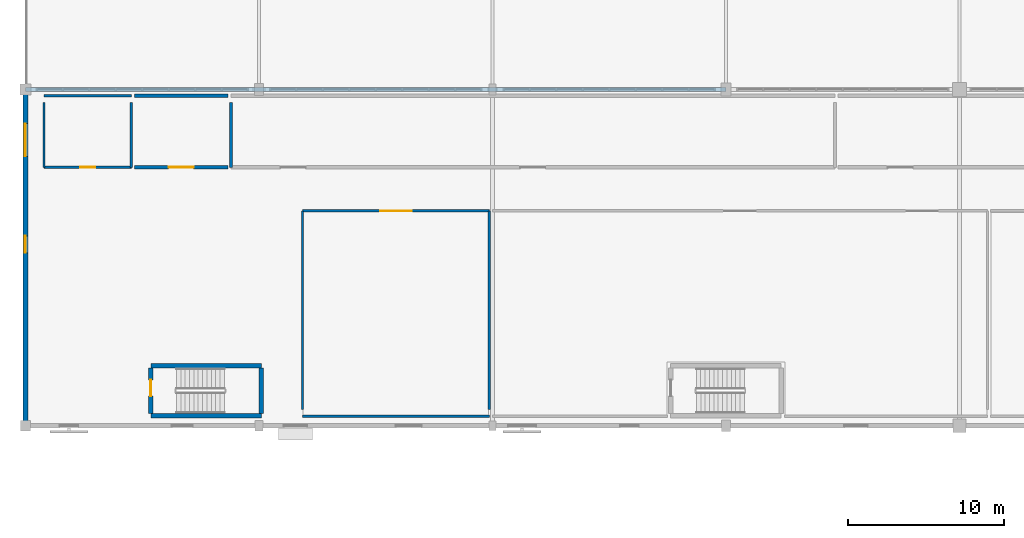
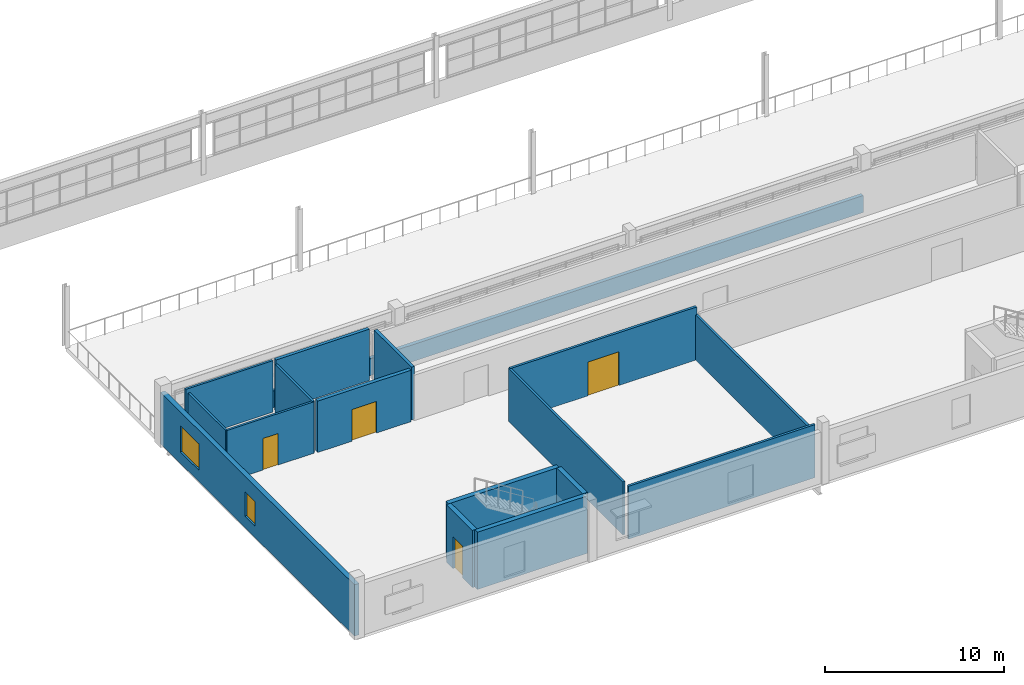
# One storey, part 62 of 92: 17 walls, 4 doors, 2 windows, 6 openings.
"""IFC4 building model written with IfcOpenShell, lengths in metres."""

from ifc_helpers import new_model, si_unit, direction, frame, frame_2d, origin, place, context, subcontext, project, spatial, rectangle, extrude, material, layer, layer_set, type_object, element, fill, save


model = new_model("IFC4")

# Units and contexts
model_context = context("Model", 3, precision=1e-05, world=origin(), true_north=direction((0.0, 1.0)))
body_context = subcontext(model_context, "Body", "Model", "MODEL_VIEW")
ifc_project = project(units=[si_unit("LENGTHUNIT", "METRE"), si_unit("AREAUNIT", "SQUARE_METRE"), si_unit("VOLUMEUNIT", "CUBIC_METRE"), si_unit("PLANEANGLEUNIT", "RADIAN"), si_unit("MASSUNIT", "GRAM", prefix="KILO")], contexts=[model_context])

# Site, building, storey
site_placement = place(None, origin())
site = spatial("IfcSite", under=ifc_project, at=site_placement, CompositionType="ELEMENT")
building_placement = place(site_placement, origin())
building = spatial("IfcBuilding", under=site, at=building_placement, Name="Solanera Park Tramway Depot", CompositionType="ELEMENT")
storey_placement = place(building_placement, frame((0.0, 0.0, 4.800048828125)))
storey = spatial("IfcBuildingStorey", under=building, at=storey_placement, Name="L01", CompositionType="ELEMENT", Elevation=4.800048828125)

# Walls
ifc_material_1 = material(Name="Concrete N32 (C32/40)", Category="concrete")
ifc_layer_1 = layer(ifc_material_1, 0.14990234375)
ifc_layer_set_1 = layer_set([ifc_layer_1], Name="Concrete N32 (C32/40)")
wall_type_1 = type_object("IfcWallType", Name="Acoustic Partition 150", PredefinedType="PARTITIONING", material=ifc_layer_set_1)
wall_1_placement = place(storey_placement, frame((29.800048828125, 11.39990234375, 0.0), z_axis=(0.0, 0.0, 1.0), x_axis=(-1.0, 0.0, 0.0)))
element("IfcWall", 1, at=wall_1_placement, inside=storey, type_object=wall_type_1, Name="Pantograph and Traction Electronics Lab Dividing Wall", PredefinedType="PARTITIONING", context=body_context, shape_type="SweptSolid", body=[
    extrude(rectangle(XDim=12.0, YDim=0.14990234375, at=frame_2d((6.0, 0.0))), origin(), (0.0, 0.0, 1.0), 3.599853515625),
])
wall_2_placement = place(storey_placement, frame((29.800048828125, 11.85009765625, 0.0), z_axis=(0.0, 0.0, 1.0), x_axis=(0.0, 1.0, 0.0)))
element("IfcWall", 2, at=wall_2_placement, inside=storey, type_object=wall_type_1, Name="Pantograph and Traction Electronics Lab Dividing Wall", PredefinedType="PARTITIONING", context=body_context, shape_type="SweptSolid", body=[
    extrude(rectangle(XDim=12.75, YDim=0.14990234375, at=frame_2d((6.375, 0.0))), origin(), (0.0, 0.0, 1.0), 3.08203125),
])
wall_3_placement = place(storey_placement, frame((17.800048828125, 24.60009765625, 0.0), z_axis=(0.0, 0.0, 1.0), x_axis=(0.0, -1.0, 0.0)))
element("IfcWall", 3, at=wall_3_placement, inside=storey, type_object=wall_type_1, Name="Pantograph and Traction Electronics Lab Dividing Wall", PredefinedType="PARTITIONING", context=body_context, shape_type="SweptSolid", body=[
    extrude(rectangle(XDim=12.75, YDim=0.14990234375, at=frame_2d((6.375, 0.0))), origin(), (0.0, 0.0, 1.0), 3.599853515625),
])
ifc_material_2 = material(Name="Concrete N40 (C40/50)", Category="concrete")
ifc_layer_2 = layer(ifc_material_2, 0.300048828125)
ifc_layer_set_2 = layer_set([ifc_layer_2], Name="Concrete N40 (C40/50)")
wall_type_2 = type_object("IfcWallType", Name="Core Shear Wall 300", PredefinedType="SHEAR", material=ifc_layer_set_2)
for number, where, z_axis, x_axis, name in (
    (4, (8.050048828125, 11.449951171875, 0.0), (0.0, 0.0, 1.0), (1.0, 0.0, 0.0), "ST-08 L01 Shear Core Wall S"),
    (5, (15.14990234375, 14.64990234375, 0.0), (0.0, 0.0, 1.0), (-1.0, 0.0, 0.0), "ST-08 L01 Shear Core Wall N"),
):
    element("IfcWall", number, at=place(storey_placement, frame(where, z_axis=z_axis, x_axis=x_axis)), inside=storey, type_object=wall_type_2, Name=name, PredefinedType="SHEAR", context=body_context, shape_type="SweptSolid", body=[
        extrude(rectangle(XDim=7.099853515625, YDim=0.300048828125, at=frame_2d((3.5498046875, 0.0))), origin(), (0.0, 0.0, 1.0), 3.89990234375),
    ])
wall_4_placement = place(storey_placement, frame((15.14990234375, 11.60009765625, 0.0), z_axis=(0.0, 0.0, 1.0), x_axis=(0.0, 1.0, 0.0)))
element("IfcWall", 6, at=wall_4_placement, inside=storey, type_object=wall_type_2, Name="ST-08 L01 Shear Core Wall E", PredefinedType="SHEAR", context=body_context, shape_type="SweptSolid", body=[
    extrude(rectangle(XDim=2.89990234375, YDim=0.300048828125, at=frame_2d((1.449951171875, 0.0))), origin(), (0.0, 0.0, 1.0), 3.89990234375),
])

# Wall, opening, door
wall_5_placement = place(storey_placement, frame((8.050048828125, 14.5, 0.0), z_axis=(0.0, 0.0, 1.0), x_axis=(0.0, -1.0, 0.0)))
wall_5 = element("IfcWall", 7, at=wall_5_placement, inside=storey, type_object=wall_type_2, Name="ST-08 L01 Shear Core Wall W", PredefinedType="SHEAR", context=body_context, shape_type="SweptSolid", body=[
    extrude(rectangle(XDim=2.89990234375, YDim=0.300048828125, at=frame_2d((1.449951171875, 0.0))), origin(), (0.0, 0.0, 1.0), 3.89990234375),
])
opening_1_placement = place(wall_5_placement, frame((0.75, 0.0, 0.0)))
opening_1 = element("IfcOpeningElement", 8, at=opening_1_placement, cuts=wall_5, Name="Opening FD-S1L", PredefinedType="OPENING", context=body_context, shape_type="SweptSolid", body=[
    extrude(rectangle(XDim=1.050048828125, YDim=2.14990234375, at=frame_2d((0.52490234375, 1.074951171875))), frame((0.0, 0.16015625, 0.0), z_axis=(0.0, -1.0, 0.0), x_axis=(1.0, 0.0, 0.0)), (0.0, 0.0, 1.0), 0.320068359375),
])
ifc_material_3 = material(Name="Fire-rated steel or solid-core hardwood door leaf", Category="steel")
door_type_1 = type_object("IfcDoorType", Name="Stair Fire Door L 1050x2150", OperationType="SINGLE_SWING_LEFT", PredefinedType="DOOR", material=ifc_material_3)
door_1_placement = place(opening_1_placement, origin())
door_1 = element("IfcDoor", 9, at=door_1_placement, inside=storey, type_object=door_type_1, Name="ST-08 L01 Stair Fire Door", OperationType="SINGLE_SWING_LEFT", OverallHeight=2.14990234375, OverallWidth=1.050048828125, PredefinedType="DOOR", context=body_context, shape_type="SweptSolid", body=[
    extrude(rectangle(XDim=1.050048828125, YDim=2.14990234375, at=frame_2d((0.52490234375, 1.074951171875))), frame((0.0, 0.02490234375, 0.0), z_axis=(0.0, -1.0, 0.0), x_axis=(1.0, 0.0, 0.0)), (0.0, 0.0, 1.0), 0.050048828125),
])
fill(opening_1, door_1)

# Wall, openings, windows
ifc_material_4 = material(Name="Concrete N32 (C32/40)", Category="concrete")
ifc_layer_3 = layer(ifc_material_4, 0.300048828125)
ifc_layer_set_3 = layer_set([ifc_layer_3], Name="Concrete N32 (C32/40)")
wall_type_3 = type_object("IfcWallType", Name="Ext Stucco Wall 300", PredefinedType="SOLIDWALL", material=ifc_layer_set_3)
wall_6_placement = place(storey_placement, frame((0.0, 32.39990234375, 0.0), z_axis=(0.0, 0.0, 1.0), x_axis=(0.0, -1.0, 0.0)))
wall_6 = element("IfcWall", 10, at=wall_6_placement, inside=storey, type_object=wall_type_3, Name="L01 Exterior Wall #006", PredefinedType="SOLIDWALL", context=body_context, shape_type="SweptSolid", body=[
    extrude(rectangle(XDim=21.599853515625, YDim=0.300048828125, at=frame_2d((10.7998046875, 0.0))), origin(), (0.0, 0.0, 1.0), 3.5),
])
opening_2_placement = place(wall_6_placement, frame((2.199951171875, 0.0, 0.780029296875)))
opening_2 = element("IfcOpeningElement", 11, at=opening_2_placement, cuts=wall_6, Name="Opening WN-C21", PredefinedType="OPENING", context=body_context, shape_type="SweptSolid", body=[
    extrude(rectangle(XDim=2.10009765625, YDim=1.800048828125, at=frame_2d((1.050048828125, 0.89990234375))), frame((0.0, 0.16015625, 0.0), z_axis=(0.0, -1.0, 0.0), x_axis=(1.0, 0.0, 0.0)), (0.0, 0.0, 1.0), 0.320068359375),
])
opening_3_placement = place(wall_6_placement, frame((9.39990234375, 0.0, 0.780029296875)))
opening_3 = element("IfcOpeningElement", 12, at=opening_3_placement, cuts=wall_6, Name="Opening WN-C11", PredefinedType="OPENING", context=body_context, shape_type="SweptSolid", body=[
    extrude(rectangle(XDim=1.10009765625, YDim=1.64990234375, at=frame_2d((0.550048828125, 0.824951171875))), frame((0.0, 0.16015625, 0.0), z_axis=(0.0, -1.0, 0.0), x_axis=(1.0, 0.0, 0.0)), (0.0, 0.0, 1.0), 0.320068359375),
])
ifc_material_5 = material(Name="Powder-coated aluminium frame with solar-control double glazing", Category="aluminium")
window_type_1 = type_object("IfcWindowType", Name="Cloister Casement Window 1100x1650", PartitioningType="SINGLE_PANEL", PredefinedType="WINDOW", material=ifc_material_5)
window_1_placement = place(opening_3_placement, origin())
window_1 = element("IfcWindow", 13, at=window_1_placement, inside=storey, type_object=window_type_1, Name="L01 Cloister Casement Window 1100x1650 #0048", OverallHeight=1.64990234375, OverallWidth=1.10009765625, PartitioningType="SINGLE_PANEL", PredefinedType="WINDOW", context=body_context, shape_type="SweptSolid", body=[
    extrude(rectangle(XDim=1.10009765625, YDim=1.64990234375, at=frame_2d((0.550048828125, 0.824951171875))), frame((0.0, 0.030029296875, 0.0), z_axis=(0.0, -1.0, 0.0), x_axis=(1.0, 0.0, 0.0)), (0.0, 0.0, 1.0), 0.06005859375),
])
fill(opening_3, window_1)
ifc_material_6 = material(Name="Powder-coated aluminium frame with solar-control double glazing", Category="aluminium")
window_type_2 = type_object("IfcWindowType", Name="Cloister Casement Window 2100x1800", PartitioningType="SINGLE_PANEL", PredefinedType="WINDOW", material=ifc_material_6)
window_2_placement = place(opening_2_placement, origin())
window_2 = element("IfcWindow", 14, at=window_2_placement, inside=storey, type_object=window_type_2, Name="L01 Cloister Casement Window 2100x1800 #0047", OverallHeight=1.800048828125, OverallWidth=2.10009765625, PartitioningType="SINGLE_PANEL", PredefinedType="WINDOW", context=body_context, shape_type="SweptSolid", body=[
    extrude(rectangle(XDim=2.10009765625, YDim=1.800048828125, at=frame_2d((1.050048828125, 0.89990234375))), frame((0.0, 0.030029296875, 0.0), z_axis=(0.0, -1.0, 0.0), x_axis=(1.0, 0.0, 0.0)), (0.0, 0.0, 1.0), 0.06005859375),
])
fill(opening_2, window_2)

# Walls
ifc_material_7 = material(Name="Concrete N32 (C32/40)", Category="concrete")
ifc_layer_4 = layer(ifc_material_7, 0.199951171875)
ifc_layer_set_4 = layer_set([ifc_layer_4], Name="Concrete N32 (C32/40)")
wall_type_4 = type_object("IfcWallType", Name="Fire Compartment Wall 200", PredefinedType="SOLIDWALL", material=ifc_layer_set_4)
wall_7_placement = place(storey_placement, frame((13.199951171875, 31.550048828125, 0.0), z_axis=(0.0, 0.0, 1.0), x_axis=(0.0, -1.0, 0.0)))
element("IfcWall", 15, at=wall_7_placement, inside=storey, type_object=wall_type_4, Name="Automated Kardex Rotable Parts Store Dividing Wall", PredefinedType="SOLIDWALL", context=body_context, shape_type="SweptSolid", body=[
    extrude(rectangle(XDim=4.150146484375, YDim=0.199951171875, at=frame_2d((2.0751953125, 0.0))), origin(), (0.0, 0.0, 1.0), 3.599853515625),
])
wall_8_placement = place(storey_placement, frame((7.0, 32.0, 0.0), z_axis=(0.0, 0.0, 1.0), x_axis=(1.0, 0.0, 0.0)))
element("IfcWall", 16, at=wall_8_placement, inside=storey, type_object=wall_type_4, Name="Mezzanine Cleaners and Linen Store L01 Dividing Wall", PredefinedType="SOLIDWALL", context=body_context, shape_type="SweptSolid", body=[
    extrude(rectangle(XDim=6.0, YDim=0.199951171875, at=frame_2d((3.0, 0.0))), origin(), (0.0, 0.0, 1.0), 3.5),
])

# Wall, opening, door
ifc_material_8 = material(Name="Concrete N32 (C32/40)", Category="concrete")
ifc_layer_5 = layer(ifc_material_8, 0.159912109375)
ifc_layer_set_5 = layer_set([ifc_layer_5], Name="Concrete N32 (C32/40)")
wall_type_5 = type_object("IfcWallType", Name="Fire Corridor Wall 160", PredefinedType="PARTITIONING", material=ifc_layer_set_5)
wall_9_placement = place(storey_placement, frame((17.800048828125, 24.60009765625, 0.0), z_axis=(0.0, 0.0, 1.0), x_axis=(1.0, 0.0, 0.0)))
wall_9 = element("IfcWall", 17, at=wall_9_placement, inside=storey, type_object=wall_type_5, Name="Pantograph and Traction Electronics Lab Corridor Wall", PredefinedType="PARTITIONING", context=body_context, shape_type="SweptSolid", body=[
    extrude(rectangle(XDim=12.0, YDim=0.159912109375, at=frame_2d((6.0, 0.0))), origin(), (0.0, 0.0, 1.0), 3.599853515625),
])
opening_4_placement = place(wall_9_placement, frame((5.0, 0.0, 0.0)))
opening_4 = element("IfcOpeningElement", 18, at=opening_4_placement, cuts=wall_9, Name="Opening ID-K2D", PredefinedType="OPENING", context=body_context, shape_type="SweptSolid", body=[
    extrude(rectangle(XDim=2.0, YDim=2.300048828125, at=frame_2d((1.0, 1.14990234375))), frame((0.0, 0.08984375, 0.0), z_axis=(0.0, -1.0, 0.0), x_axis=(1.0, 0.0, 0.0)), (0.0, 0.0, 1.0), 0.179931640625),
])
ifc_material_9 = material(Name="Fire-rated steel or solid-core hardwood door leaf", Category="steel")
door_type_2 = type_object("IfcDoorType", Name="Workshop Bay Double Door 2000x2300", OperationType="DOUBLE_SWING_LEFT", PredefinedType="DOOR", material=ifc_material_9)
door_2_placement = place(opening_4_placement, origin())
door_2 = element("IfcDoor", 19, at=door_2_placement, inside=storey, type_object=door_type_2, Name="Pantograph and Traction Electronics Lab Door", OperationType="DOUBLE_SWING_LEFT", OverallHeight=2.300048828125, OverallWidth=2.0, PredefinedType="DOOR", context=body_context, shape_type="SweptSolid", body=[
    extrude(rectangle(XDim=2.0, YDim=2.300048828125, at=frame_2d((1.0, 1.14990234375))), frame((0.0, 0.02490234375, 0.0), z_axis=(0.0, -1.0, 0.0), x_axis=(1.0, 0.0, 0.0)), (0.0, 0.0, 1.0), 0.050048828125),
])
fill(opening_4, door_2)

ifc_material_10 = material(Name="Concrete N32 (C32/40)", Category="concrete")
ifc_layer_6 = layer(ifc_material_10, 0.239990234375)
ifc_layer_set_6 = layer_set([ifc_layer_6], Name="Concrete N32 (C32/40)")
wall_type_6 = type_object("IfcWallType", Name="Inter-Class Fire Wall 240", PredefinedType="SOLIDWALL", material=ifc_layer_set_6)
wall_10_placement = place(storey_placement, frame((13.0, 27.39990234375, 0.0), z_axis=(0.0, 0.0, 1.0), x_axis=(-1.0, 0.0, 0.0)))
wall_10 = element("IfcWall", 20, at=wall_10_placement, inside=storey, type_object=wall_type_6, Name="Mezzanine Cleaners and Linen Store L01 Corridor Wall", PredefinedType="SOLIDWALL", context=body_context, shape_type="SweptSolid", body=[
    extrude(rectangle(XDim=6.0, YDim=0.239990234375, at=frame_2d((3.0, 0.0))), origin(), (0.0, 0.0, 1.0), 3.5),
])
opening_5_placement = place(wall_10_placement, frame((2.199951171875, 0.0, 0.0)))
opening_5 = element("IfcOpeningElement", 21, at=opening_5_placement, cuts=wall_10, Name="Opening FD-K2D", PredefinedType="OPENING", context=body_context, shape_type="SweptSolid", body=[
    extrude(rectangle(XDim=1.60009765625, YDim=2.14990234375, at=frame_2d((0.800048828125, 1.074951171875))), frame((0.0, 0.1298828125, 0.0), z_axis=(0.0, -1.0, 0.0), x_axis=(1.0, 0.0, 0.0)), (0.0, 0.0, 1.0), 0.260009765625),
])
ifc_material_11 = material(Name="Fire-rated steel or solid-core hardwood door leaf", Category="steel")
door_type_3 = type_object("IfcDoorType", Name="Store Double Fire Door 1600x2150", OperationType="DOUBLE_SWING_RIGHT", PredefinedType="DOOR", material=ifc_material_11)
door_3_placement = place(opening_5_placement, origin())
door_3 = element("IfcDoor", 22, at=door_3_placement, inside=storey, type_object=door_type_3, Name="Mezzanine Cleaners and Linen Store L01 Door", OperationType="DOUBLE_SWING_RIGHT", OverallHeight=2.14990234375, OverallWidth=1.60009765625, PredefinedType="DOOR", context=body_context, shape_type="SweptSolid", body=[
    extrude(rectangle(XDim=1.60009765625, YDim=2.14990234375, at=frame_2d((0.800048828125, 1.074951171875))), frame((0.0, 0.02490234375, 0.0), z_axis=(0.0, -1.0, 0.0), x_axis=(1.0, 0.0, 0.0)), (0.0, 0.0, 1.0), 0.050048828125),
])
fill(opening_5, door_3)

# Walls
ifc_material_12 = material(Name="Concrete N32 (C32/40)", Category="concrete")
ifc_layer_7 = layer(ifc_material_12, 0.239990234375)
ifc_layer_set_7 = layer_set([ifc_layer_7], Name="Concrete N32 (C32/40)")
wall_type_7 = type_object("IfcWallType", Name="Roof Parapet Wall 240", PredefinedType="PARAPET", material=ifc_layer_set_7)
wall_11_placement = place(storey_placement, frame((0.0, 32.39990234375, 0.0), z_axis=(0.0, 0.0, 1.0), x_axis=(1.0, 0.0, 0.0)))
element("IfcWall", 23, at=wall_11_placement, inside=storey, type_object=wall_type_7, Name="Roof Parapet Wall #01", PredefinedType="PARAPET", context=body_context, shape_type="SweptSolid", body=[
    extrude(rectangle(XDim=45.0, YDim=0.239990234375, at=frame_2d((22.5, 0.0))), origin(), (0.0, 0.0, 1.0), 1.14990234375),
])
ifc_material_13 = material(Name="Concrete N32 (C32/40)", Category="concrete")
ifc_layer_8 = layer(ifc_material_13, 0.139892578125)
ifc_layer_set_8 = layer_set([ifc_layer_8], Name="Concrete N32 (C32/40)")
wall_type_8 = type_object("IfcWallType", Name="Wet Area Partition 140", PredefinedType="PARTITIONING", material=ifc_layer_set_8)
wall_12_placement = place(storey_placement, frame((1.199951171875, 32.0, 0.0), z_axis=(0.0, 0.0, 1.0), x_axis=(1.0, 0.0, 0.0)))
element("IfcWall", 24, at=wall_12_placement, inside=storey, type_object=wall_type_8, Name="Mezzanine Staff WC and Accessible WC L01 Dividing Wall", PredefinedType="PARTITIONING", context=body_context, shape_type="SweptSolid", body=[
    extrude(rectangle(XDim=5.60009765625, YDim=0.139892578125, at=frame_2d((2.800048828125, 0.0))), origin(), (0.0, 0.0, 1.0), 3.5),
])
for number, where, z_axis, x_axis, name in (
    (25, (6.800048828125, 27.39990234375, 0.0), (0.0, 0.0, 1.0), (0.0, 1.0, 0.0), "Mezzanine Staff WC and Accessible WC L01 Dividing Wall"),
    (26, (1.199951171875, 31.550048828125, 0.0), (0.0, 0.0, 1.0), (0.0, -1.0, 0.0), "Mezzanine Staff WC and Accessible WC L01 Dividing Wall"),
):
    element("IfcWall", number, at=place(storey_placement, frame(where, z_axis=z_axis, x_axis=x_axis)), inside=storey, type_object=wall_type_8, Name=name, PredefinedType="PARTITIONING", context=body_context, shape_type="SweptSolid", body=[
        extrude(rectangle(XDim=4.150146484375, YDim=0.139892578125, at=frame_2d((2.0751953125, 0.0))), origin(), (0.0, 0.0, 1.0), 3.5),
    ])

# Wall, opening, door
wall_13_placement = place(storey_placement, frame((6.800048828125, 27.39990234375, 0.0), z_axis=(0.0, 0.0, 1.0), x_axis=(-1.0, 0.0, 0.0)))
wall_13 = element("IfcWall", 27, at=wall_13_placement, inside=storey, type_object=wall_type_8, Name="Mezzanine Staff WC and Accessible WC L01 Corridor Wall", PredefinedType="PARTITIONING", context=body_context, shape_type="SweptSolid", body=[
    extrude(rectangle(XDim=5.60009765625, YDim=0.139892578125, at=frame_2d((2.800048828125, 0.0))), origin(), (0.0, 0.0, 1.0), 3.5),
])
opening_6_placement = place(wall_13_placement, frame((2.31005859375, 0.0, 0.0)))
opening_6 = element("IfcOpeningElement", 28, at=opening_6_placement, cuts=wall_13, Name="Opening ID-W1L", PredefinedType="OPENING", context=body_context, shape_type="SweptSolid", body=[
    extrude(rectangle(XDim=0.97998046875, YDim=2.14990234375, at=frame_2d((0.489990234375, 1.074951171875))), frame((0.0, 0.080078125, 0.0), z_axis=(0.0, -1.0, 0.0), x_axis=(1.0, 0.0, 0.0)), (0.0, 0.0, 1.0), 0.159912109375),
])
ifc_material_14 = material(Name="Fire-rated steel or solid-core hardwood door leaf", Category="steel")
door_type_4 = type_object("IfcDoorType", Name="Accessible WC Door L 980x2150", OperationType="SINGLE_SWING_LEFT", PredefinedType="DOOR", material=ifc_material_14)
door_4_placement = place(opening_6_placement, origin())
door_4 = element("IfcDoor", 29, at=door_4_placement, inside=storey, type_object=door_type_4, Name="Mezzanine Staff WC and Accessible WC L01 Door", OperationType="SINGLE_SWING_LEFT", OverallHeight=2.14990234375, OverallWidth=0.97998046875, PredefinedType="DOOR", context=body_context, shape_type="SweptSolid", body=[
    extrude(rectangle(XDim=0.97998046875, YDim=2.14990234375, at=frame_2d((0.489990234375, 1.074951171875))), frame((0.0, 0.02490234375, 0.0), z_axis=(0.0, -1.0, 0.0), x_axis=(1.0, 0.0, 0.0)), (0.0, 0.0, 1.0), 0.050048828125),
])
fill(opening_6, door_4)

save(model, "model.ifc")
